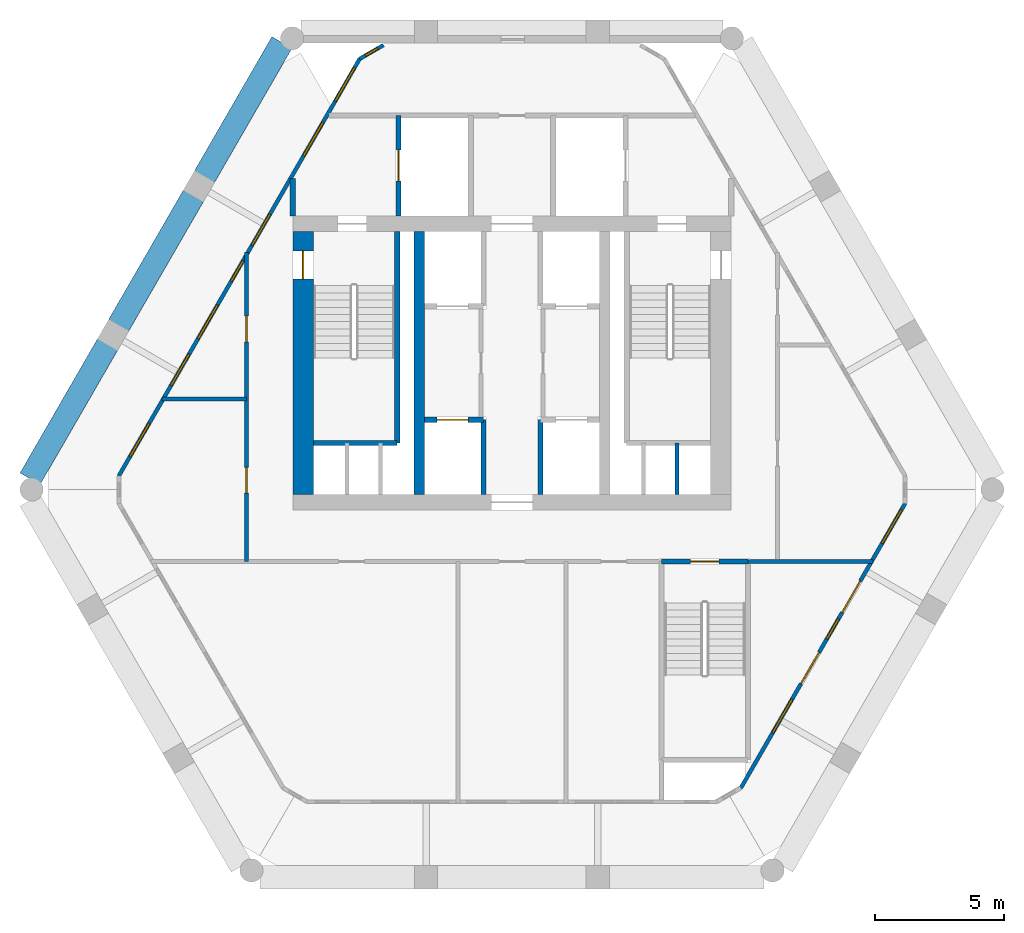
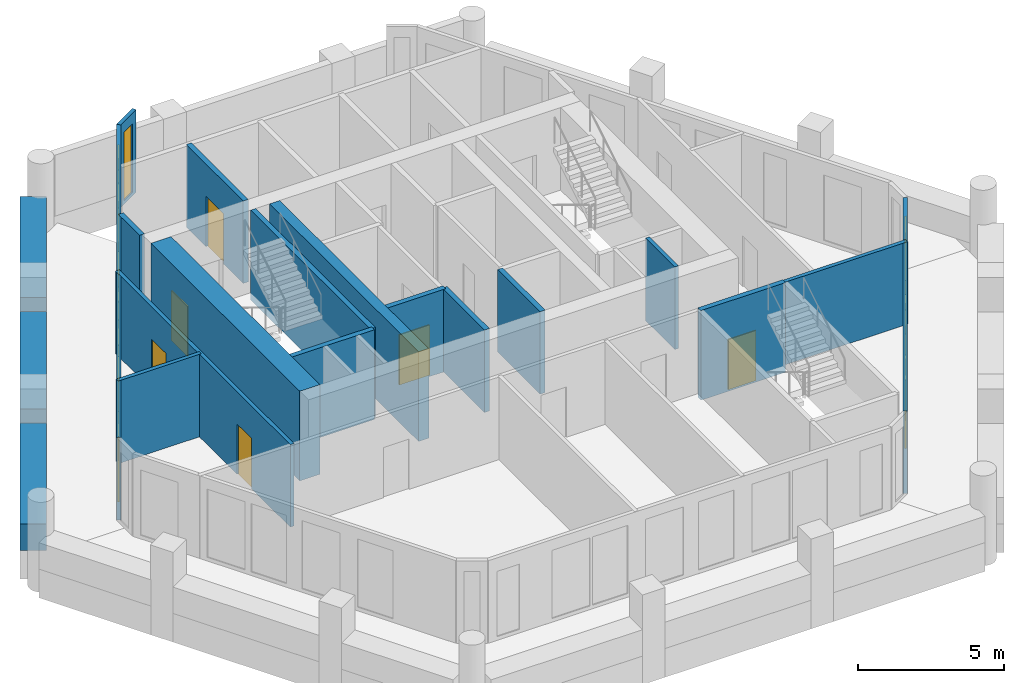
# One storey, part 3 of 6: 20 walls, 11 windows, 8 doors, 19 openings.
"""IFC4 building model written with IfcOpenShell, lengths in metres."""

from ifc_helpers import new_model, si_unit, direction, frame, frame_2d, origin, place, context, subcontext, project, spatial, rectangle, extrude, material, layer, layer_set, type_object, element, fill, save


model = new_model("IFC4")

# Units and contexts
model_context = context("Model", 3, precision=1e-05, world=origin(), true_north=direction((0.0, 1.0)))
body_context = subcontext(model_context, "Body", "Model", "MODEL_VIEW")
ifc_project = project(units=[si_unit("LENGTHUNIT", "METRE"), si_unit("AREAUNIT", "SQUARE_METRE"), si_unit("VOLUMEUNIT", "CUBIC_METRE"), si_unit("PLANEANGLEUNIT", "RADIAN"), si_unit("MASSUNIT", "GRAM", prefix="KILO")], contexts=[model_context])

# Site, building, storey
site_placement = place(None, origin())
site = spatial("IfcSite", under=ifc_project, at=site_placement, CompositionType="ELEMENT")
building_placement = place(site_placement, origin())
building = spatial("IfcBuilding", under=site, at=building_placement, Name="Ostrander Bayou Hotel Tower", CompositionType="ELEMENT")
storey_placement = place(building_placement, frame((0.0, 0.0, 263.75)))
storey = spatial("IfcBuildingStorey", under=building, at=storey_placement, Name="L65", CompositionType="ELEMENT", Elevation=263.75)

# Wall, opening, door
ifc_material_1 = material(Name="Concrete f'c 60 MPa", Category="concrete")
ifc_layer_1 = layer(ifc_material_1, 0.800048828125)
ifc_layer_set_1 = layer_set([ifc_layer_1], Name="CW11 core spine wall 800 mm f'c 60 MPa")
wall_type_1 = type_object("IfcWallType", Name="CW11 core spine wall 800 mm f'c 60 MPa", PredefinedType="SHEAR", material=ifc_layer_set_1)
wall_1_placement = place(storey_placement, frame((-8.10009765625, -1.10009765625, -0.300048828125), z_axis=(0.0, 0.0, 1.0), x_axis=(0.0, 1.0, 0.0)))
wall_1 = element("IfcWall", 1, at=wall_1_placement, inside=storey, type_object=wall_type_1, Name="CW11 L65 W", PredefinedType="SHEAR", context=body_context, shape_type="SweptSolid", body=[
    extrude(rectangle(XDim=10.2001953125, YDim=0.800048828125, at=frame_2d((5.10009765625, 0.0))), origin(), (0.0, 0.0, 1.0), 3.75),
])
opening_1_placement = place(wall_1_placement, frame((8.35009765625, 0.0, 0.0)))
opening_1 = element("IfcOpeningElement", 2, at=opening_1_placement, cuts=wall_1, Name="Opening T63-008", PredefinedType="OPENING", context=body_context, shape_type="SweptSolid", body=[
    extrude(rectangle(XDim=1.10009765625, YDim=2.10009765625, at=frame_2d((0.550048828125, 1.050048828125))), frame((0.0, 0.39990234375, 0.0), z_axis=(0.0, -1.0, 0.0), x_axis=(1.0, 0.0, 0.0)), (0.0, 0.0, 1.0), 0.800048828125),
])
ifc_material_2 = material(Name="Timber door leaf", Category="wood")
door_type_1 = type_object("IfcDoorType", Name="D5 stair door 1100 x 2100 mm, 90 minute", OperationType="SINGLE_SWING_LEFT", PredefinedType="DOOR", material=ifc_material_2)
door_1_placement = place(opening_1_placement, origin())
door_1 = element("IfcDoor", 3, at=door_1_placement, inside=storey, type_object=door_type_1, Name="dr:L65:008", OperationType="SINGLE_SWING_RIGHT", OverallHeight=2.10009765625, OverallWidth=1.10009765625, PredefinedType="DOOR", context=body_context, shape_type="SweptSolid", body=[
    extrude(rectangle(XDim=1.10009765625, YDim=2.10009765625, at=frame_2d((0.550048828125, 1.050048828125))), frame((0.0, 0.02490234375, 0.0), z_axis=(0.0, -1.0, 0.0), x_axis=(1.0, 0.0, 0.0)), (0.0, 0.0, 1.0), 0.050048828125),
])
fill(opening_1, door_1)

# Wall
ifc_material_3 = material(Name="Concrete f'c 60 MPa", Category="concrete")
ifc_layer_2 = layer(ifc_material_3, 0.39990234375)
ifc_layer_set_2 = layer_set([ifc_layer_2], Name="CW12 core bank wall 400 mm f'c 60 MPa")
wall_type_2 = type_object("IfcWallType", Name="CW12 core bank wall 400 mm f'c 60 MPa", PredefinedType="SHEAR", material=ifc_layer_set_2)
wall_2_placement = place(storey_placement, frame((-3.60009765625, -1.10009765625, -0.300048828125), z_axis=(0.0, 0.0, 1.0), x_axis=(0.0, 1.0, 0.0)))
element("IfcWall", 4, at=wall_2_placement, inside=storey, type_object=wall_type_2, Name="CW12 L65 CW", PredefinedType="SHEAR", context=body_context, shape_type="SweptSolid", body=[
    extrude(rectangle(XDim=10.2001953125, YDim=0.39990234375, at=frame_2d((5.10009765625, 0.0))), origin(), (0.0, 0.0, 1.0), 3.75),
])

# Wall, openings, windows
ifc_material_4 = material(Name="Aluminium framed insulated wall", Category="aluminium")
ifc_layer_3 = layer(ifc_material_4, 0.14990234375)
ifc_layer_set_3 = layer_set([ifc_layer_3], Name="GW1 glass-line wall 150 mm")
wall_type_3 = type_object("IfcWallType", Name="GW1 glass-line wall 150 mm", PredefinedType="SOLIDWALL", material=ifc_layer_set_3)
wall_3_placement = place(storey_placement, frame((-5.909423828125, 15.79248046875, 0.0), z_axis=(0.0, 0.0, 1.0), x_axis=(-0.500006153997, -0.866021850744, 0.0)))
wall_3 = element("IfcWall", 5, at=wall_3_placement, inside=storey, type_object=wall_type_3, Name="GW1 L65 NW 1", PredefinedType="SOLIDWALL", context=body_context, shape_type="SweptSolid", body=[
    extrude(rectangle(XDim=18.672607421875, YDim=0.14990234375, at=frame_2d((9.33642578125, 0.0))), origin(), (0.0, 0.0, 1.0), 3.449951171875),
])
opening_2_placement = place(wall_3_placement, frame((2.83837890625, 0.0, 0.14990234375)))
opening_2 = element("IfcOpeningElement", 6, at=opening_2_placement, cuts=wall_3, Name="Opening W4", PredefinedType="OPENING", context=body_context, shape_type="SweptSolid", body=[
    extrude(rectangle(XDim=1.5, YDim=2.85009765625, at=frame_2d((0.75, 1.425048828125))), frame((0.0, 0.074951171875, 0.0), z_axis=(0.0, -1.0, 0.0), x_axis=(1.0, 0.0, 0.0)), (0.0, 0.0, 1.0), 0.14990234375),
])
opening_3_placement = place(wall_3_placement, frame((9.052978515625, 0.0, 0.14990234375)))
opening_3 = element("IfcOpeningElement", 7, at=opening_3_placement, cuts=wall_3, Name="Opening W18", PredefinedType="OPENING", context=body_context, shape_type="SweptSolid", body=[
    extrude(rectangle(XDim=0.89990234375, YDim=2.85009765625, at=frame_2d((0.449951171875, 1.425048828125))), frame((0.0, 0.074951171875, 0.0), z_axis=(0.0, -1.0, 0.0), x_axis=(1.0, 0.0, 0.0)), (0.0, 0.0, 1.0), 0.14990234375),
])
opening_4_placement = place(wall_3_placement, frame((6.952880859375, 0.0, 0.14990234375)))
opening_4 = element("IfcOpeningElement", 8, at=opening_4_placement, cuts=wall_3, Name="Opening W14", PredefinedType="OPENING", context=body_context, shape_type="SweptSolid", body=[
    extrude(rectangle(XDim=1.39990234375, YDim=2.85009765625, at=frame_2d((0.699951171875, 1.425048828125))), frame((0.0, 0.074951171875, 0.0), z_axis=(0.0, -1.0, 0.0), x_axis=(1.0, 0.0, 0.0)), (0.0, 0.0, 1.0), 0.14990234375),
])
opening_5_placement = place(wall_3_placement, frame((11.02197265625, 0.0, 0.14990234375)))
opening_5 = element("IfcOpeningElement", 9, at=opening_5_placement, cuts=wall_3, Name="Opening W4", PredefinedType="OPENING", context=body_context, shape_type="SweptSolid", body=[
    extrude(rectangle(XDim=1.5, YDim=2.85009765625, at=frame_2d((0.75, 1.425048828125))), frame((0.0, 0.074951171875, 0.0), z_axis=(0.0, -1.0, 0.0), x_axis=(1.0, 0.0, 0.0)), (0.0, 0.0, 1.0), 0.14990234375),
])
opening_6_placement = place(wall_3_placement, frame((13.221923828125, 0.0, 0.14990234375)))
opening_6 = element("IfcOpeningElement", 10, at=opening_6_placement, cuts=wall_3, Name="Opening W14", PredefinedType="OPENING", context=body_context, shape_type="SweptSolid", body=[
    extrude(rectangle(XDim=1.39990234375, YDim=2.85009765625, at=frame_2d((0.699951171875, 1.425048828125))), frame((0.0, 0.074951171875, 0.0), z_axis=(0.0, -1.0, 0.0), x_axis=(1.0, 0.0, 0.0)), (0.0, 0.0, 1.0), 0.14990234375),
])
opening_7_placement = place(wall_3_placement, frame((0.394287109375, 0.0, 0.14990234375)))
opening_7 = element("IfcOpeningElement", 11, at=opening_7_placement, cuts=wall_3, Name="Opening W4", PredefinedType="OPENING", context=body_context, shape_type="SweptSolid", body=[
    extrude(rectangle(XDim=1.5, YDim=2.72998046875, at=frame_2d((0.75, 1.364990234375))), frame((0.0, 0.074951171875, 0.0), z_axis=(0.0, -1.0, 0.0), x_axis=(1.0, 0.0, 0.0)), (0.0, 0.0, 1.0), 0.14990234375),
])
opening_8_placement = place(wall_3_placement, frame((16.31591796875, 0.0, 0.14990234375)))
opening_8 = element("IfcOpeningElement", 12, at=opening_8_placement, cuts=wall_3, Name="Opening W4", PredefinedType="OPENING", context=body_context, shape_type="SweptSolid", body=[
    extrude(rectangle(XDim=1.5, YDim=2.72998046875, at=frame_2d((0.75, 1.364990234375))), frame((0.0, 0.074951171875, 0.0), z_axis=(0.0, -1.0, 0.0), x_axis=(1.0, 0.0, 0.0)), (0.0, 0.0, 1.0), 0.14990234375),
])
ifc_material_5 = material(Name="Aluminium and clear glass", Category="aluminium")
window_type_1 = type_object("IfcWindowType", Name="W14 fixed window 1400 mm, bath bay, zone 4", PartitioningType="SINGLE_PANEL", PredefinedType="WINDOW", material=ifc_material_5)
window_1_placement = place(opening_4_placement, origin())
window_1 = element("IfcWindow", 13, at=window_1_placement, inside=storey, type_object=window_type_1, Name="W14 L65 NW 2", OverallHeight=2.85009765625, OverallWidth=1.39990234375, PartitioningType="SINGLE_PANEL", PredefinedType="WINDOW", context=body_context, shape_type="SweptSolid", body=[
    extrude(rectangle(XDim=1.39990234375, YDim=2.85009765625, at=frame_2d((0.699951171875, 1.425048828125))), frame((0.0, 0.030029296875, 0.0), z_axis=(0.0, -1.0, 0.0), x_axis=(1.0, 0.0, 0.0)), (0.0, 0.0, 1.0), 0.06005859375),
])
fill(opening_4, window_1)
window_2_placement = place(opening_6_placement, origin())
window_2 = element("IfcWindow", 14, at=window_2_placement, inside=storey, type_object=window_type_1, Name="W14 L65 NW 3", OverallHeight=2.85009765625, OverallWidth=1.39990234375, PartitioningType="SINGLE_PANEL", PredefinedType="WINDOW", context=body_context, shape_type="SweptSolid", body=[
    extrude(rectangle(XDim=1.39990234375, YDim=2.85009765625, at=frame_2d((0.699951171875, 1.425048828125))), frame((0.0, 0.030029296875, 0.0), z_axis=(0.0, -1.0, 0.0), x_axis=(1.0, 0.0, 0.0)), (0.0, 0.0, 1.0), 0.06005859375),
])
fill(opening_6, window_2)
ifc_material_6 = material(Name="Aluminium and clear glass", Category="aluminium")
window_type_2 = type_object("IfcWindowType", Name="W18 window 900 mm, zone 4", PartitioningType="SINGLE_PANEL", PredefinedType="WINDOW", material=ifc_material_6)
window_3_placement = place(opening_3_placement, origin())
window_3 = element("IfcWindow", 15, at=window_3_placement, inside=storey, type_object=window_type_2, Name="W18 L65 NW 2", OverallHeight=2.85009765625, OverallWidth=0.89990234375, PartitioningType="SINGLE_PANEL", PredefinedType="WINDOW", context=body_context, shape_type="SweptSolid", body=[
    extrude(rectangle(XDim=0.89990234375, YDim=2.85009765625, at=frame_2d((0.449951171875, 1.425048828125))), frame((0.0, 0.030029296875, 0.0), z_axis=(0.0, -1.0, 0.0), x_axis=(1.0, 0.0, 0.0)), (0.0, 0.0, 1.0), 0.06005859375),
])
fill(opening_3, window_3)
ifc_material_7 = material(Name="Aluminium and clear glass", Category="aluminium")
window_type_3 = type_object("IfcWindowType", Name="W4 fixed window 1500 mm, zone 4", PartitioningType="SINGLE_PANEL", PredefinedType="WINDOW", material=ifc_material_7)
window_4_placement = place(opening_2_placement, origin())
window_4 = element("IfcWindow", 16, at=window_4_placement, inside=storey, type_object=window_type_3, Name="W4 L65 NW 1", OverallHeight=2.85009765625, OverallWidth=1.5, PartitioningType="SINGLE_PANEL", PredefinedType="WINDOW", context=body_context, shape_type="SweptSolid", body=[
    extrude(rectangle(XDim=1.5, YDim=2.85009765625, at=frame_2d((0.75, 1.425048828125))), frame((0.0, 0.030029296875, 0.0), z_axis=(0.0, -1.0, 0.0), x_axis=(1.0, 0.0, 0.0)), (0.0, 0.0, 1.0), 0.06005859375),
])
fill(opening_2, window_4)
window_5_placement = place(opening_5_placement, origin())
window_5 = element("IfcWindow", 17, at=window_5_placement, inside=storey, type_object=window_type_3, Name="W4 L65 NW 3", OverallHeight=2.85009765625, OverallWidth=1.5, PartitioningType="SINGLE_PANEL", PredefinedType="WINDOW", context=body_context, shape_type="SweptSolid", body=[
    extrude(rectangle(XDim=1.5, YDim=2.85009765625, at=frame_2d((0.75, 1.425048828125))), frame((0.0, 0.030029296875, 0.0), z_axis=(0.0, -1.0, 0.0), x_axis=(1.0, 0.0, 0.0)), (0.0, 0.0, 1.0), 0.06005859375),
])
fill(opening_5, window_5)
window_6_placement = place(opening_7_placement, origin())
window_6 = element("IfcWindow", 18, at=window_6_placement, inside=storey, type_object=window_type_3, Name="W4 L65 NW E11", OverallHeight=2.72998046875, OverallWidth=1.5, PartitioningType="SINGLE_PANEL", PredefinedType="WINDOW", context=body_context, shape_type="SweptSolid", body=[
    extrude(rectangle(XDim=1.5, YDim=2.72998046875, at=frame_2d((0.75, 1.364990234375))), frame((0.0, 0.030029296875, 0.0), z_axis=(0.0, -1.0, 0.0), x_axis=(1.0, 0.0, 0.0)), (0.0, 0.0, 1.0), 0.06005859375),
])
fill(opening_7, window_6)
window_7_placement = place(opening_8_placement, origin())
window_7 = element("IfcWindow", 19, at=window_7_placement, inside=storey, type_object=window_type_3, Name="W4 L65 NW E21", OverallHeight=2.72998046875, OverallWidth=1.5, PartitioningType="SINGLE_PANEL", PredefinedType="WINDOW", context=body_context, shape_type="SweptSolid", body=[
    extrude(rectangle(XDim=1.5, YDim=2.72998046875, at=frame_2d((0.75, 1.364990234375))), frame((0.0, 0.030029296875, 0.0), z_axis=(0.0, -1.0, 0.0), x_axis=(1.0, 0.0, 0.0)), (0.0, 0.0, 1.0), 0.06005859375),
])
fill(opening_8, window_7)

# Wall, openings, doors, windows
wall_4_placement = place(storey_placement, frame((8.873046875, -12.4814453125, 0.0), z_axis=(0.0, 0.0, 1.0), x_axis=(0.500005990458, 0.866021945164, 0.0)))
wall_4 = element("IfcWall", 20, at=wall_4_placement, inside=storey, type_object=wall_type_3, Name="GW1 L65 SE 1", PredefinedType="SOLIDWALL", context=body_context, shape_type="SweptSolid", body=[
    extrude(rectangle(XDim=12.745361328125, YDim=0.14990234375, at=frame_2d((6.37255859375, 0.0))), origin(), (0.0, 0.0, 1.0), 3.449951171875),
])
opening_9_placement = place(wall_4_placement, frame((2.472900390625, 0.0, 0.14990234375)))
opening_9 = element("IfcOpeningElement", 21, at=opening_9_placement, cuts=wall_4, Name="Opening W4", PredefinedType="OPENING", context=body_context, shape_type="SweptSolid", body=[
    extrude(rectangle(XDim=1.5, YDim=2.85009765625, at=frame_2d((0.75, 1.425048828125))), frame((0.0, 0.074951171875, 0.0), z_axis=(0.0, -1.0, 0.0), x_axis=(1.0, 0.0, 0.0)), (0.0, 0.0, 1.0), 0.14990234375),
])
opening_10_placement = place(wall_4_placement, frame((4.6728515625, 0.0, 0.0)))
opening_10 = element("IfcOpeningElement", 22, at=opening_10_placement, cuts=wall_4, Name="Opening T63-800", PredefinedType="OPENING", context=body_context, shape_type="SweptSolid", body=[
    extrude(rectangle(XDim=1.39990234375, YDim=2.39990234375, at=frame_2d((0.699951171875, 1.199951171875))), frame((0.0, 0.074951171875, 0.0), z_axis=(0.0, -1.0, 0.0), x_axis=(1.0, 0.0, 0.0)), (0.0, 0.0, 1.0), 0.14990234375),
])
opening_11_placement = place(wall_4_placement, frame((6.6728515625, 0.0, 0.14990234375)))
opening_11 = element("IfcOpeningElement", 23, at=opening_11_placement, cuts=wall_4, Name="Opening W18", PredefinedType="OPENING", context=body_context, shape_type="SweptSolid", body=[
    extrude(rectangle(XDim=0.89990234375, YDim=2.85009765625, at=frame_2d((0.449951171875, 1.425048828125))), frame((0.0, 0.074951171875, 0.0), z_axis=(0.0, -1.0, 0.0), x_axis=(1.0, 0.0, 0.0)), (0.0, 0.0, 1.0), 0.14990234375),
])
opening_12_placement = place(wall_4_placement, frame((7.865966796875, 0.0, 0.0)))
opening_12 = element("IfcOpeningElement", 24, at=opening_12_placement, cuts=wall_4, Name="Opening T63-801", PredefinedType="OPENING", context=body_context, shape_type="SweptSolid", body=[
    extrude(rectangle(XDim=1.39990234375, YDim=2.39990234375, at=frame_2d((0.699951171875, 1.199951171875))), frame((0.0, 0.074951171875, 0.0), z_axis=(0.0, -1.0, 0.0), x_axis=(1.0, 0.0, 0.0)), (0.0, 0.0, 1.0), 0.14990234375),
])
opening_13_placement = place(wall_4_placement, frame((10.959228515625, 0.0, 0.14990234375)))
opening_13 = element("IfcOpeningElement", 25, at=opening_13_placement, cuts=wall_4, Name="Opening W4", PredefinedType="OPENING", context=body_context, shape_type="SweptSolid", body=[
    extrude(rectangle(XDim=1.5, YDim=2.72998046875, at=frame_2d((0.75, 1.364990234375))), frame((0.0, 0.074951171875, 0.0), z_axis=(0.0, -1.0, 0.0), x_axis=(1.0, 0.0, 0.0)), (0.0, 0.0, 1.0), 0.14990234375),
])
ifc_material_8 = material(Name="Aluminium and clear glass", Category="aluminium")
door_type_2 = type_object("IfcDoorType", Name="SD4 sliding glass door 1400 mm, zone 4", OperationType="SLIDING_TO_LEFT", PredefinedType="DOOR", material=ifc_material_8)
door_2_placement = place(opening_10_placement, origin())
door_2 = element("IfcDoor", 26, at=door_2_placement, inside=storey, type_object=door_type_2, Name="SD4 L65 SE 1", OperationType="SLIDING_TO_LEFT", OverallHeight=2.39990234375, OverallWidth=1.39990234375, PredefinedType="DOOR", context=body_context, shape_type="SweptSolid", body=[
    extrude(rectangle(XDim=1.39990234375, YDim=2.39990234375, at=frame_2d((0.699951171875, 1.199951171875))), frame((0.0, 0.02490234375, 0.0), z_axis=(0.0, -1.0, 0.0), x_axis=(1.0, 0.0, 0.0)), (0.0, 0.0, 1.0), 0.050048828125),
])
fill(opening_10, door_2)
door_3_placement = place(opening_12_placement, origin())
door_3 = element("IfcDoor", 27, at=door_3_placement, inside=storey, type_object=door_type_2, Name="SD4 L65 SE 2", OperationType="SLIDING_TO_RIGHT", OverallHeight=2.39990234375, OverallWidth=1.39990234375, PredefinedType="DOOR", context=body_context, shape_type="SweptSolid", body=[
    extrude(rectangle(XDim=1.39990234375, YDim=2.39990234375, at=frame_2d((0.699951171875, 1.199951171875))), frame((0.0, 0.02490234375, 0.0), z_axis=(0.0, -1.0, 0.0), x_axis=(1.0, 0.0, 0.0)), (0.0, 0.0, 1.0), 0.050048828125),
])
fill(opening_12, door_3)
window_8_placement = place(opening_11_placement, origin())
window_8 = element("IfcWindow", 28, at=window_8_placement, inside=storey, type_object=window_type_2, Name="W18 L65 SE 2", OverallHeight=2.85009765625, OverallWidth=0.89990234375, PartitioningType="SINGLE_PANEL", PredefinedType="WINDOW", context=body_context, shape_type="SweptSolid", body=[
    extrude(rectangle(XDim=0.89990234375, YDim=2.85009765625, at=frame_2d((0.449951171875, 1.425048828125))), frame((0.0, 0.030029296875, 0.0), z_axis=(0.0, -1.0, 0.0), x_axis=(1.0, 0.0, 0.0)), (0.0, 0.0, 1.0), 0.06005859375),
])
fill(opening_11, window_8)
window_9_placement = place(opening_9_placement, origin())
window_9 = element("IfcWindow", 29, at=window_9_placement, inside=storey, type_object=window_type_3, Name="W4 L65 SE 1", OverallHeight=2.85009765625, OverallWidth=1.5, PartitioningType="SINGLE_PANEL", PredefinedType="WINDOW", context=body_context, shape_type="SweptSolid", body=[
    extrude(rectangle(XDim=1.5, YDim=2.85009765625, at=frame_2d((0.75, 1.425048828125))), frame((0.0, 0.030029296875, 0.0), z_axis=(0.0, -1.0, 0.0), x_axis=(1.0, 0.0, 0.0)), (0.0, 0.0, 1.0), 0.06005859375),
])
fill(opening_9, window_9)
window_10_placement = place(opening_13_placement, origin())
window_10 = element("IfcWindow", 30, at=window_10_placement, inside=storey, type_object=window_type_3, Name="W4 L65 SE E21", OverallHeight=2.72998046875, OverallWidth=1.5, PartitioningType="SINGLE_PANEL", PredefinedType="WINDOW", context=body_context, shape_type="SweptSolid", body=[
    extrude(rectangle(XDim=1.5, YDim=2.72998046875, at=frame_2d((0.75, 1.364990234375))), frame((0.0, 0.030029296875, 0.0), z_axis=(0.0, -1.0, 0.0), x_axis=(1.0, 0.0, 0.0)), (0.0, 0.0, 1.0), 0.06005859375),
])
fill(opening_13, window_10)

# Wall, opening, window
wall_5_placement = place(storey_placement, frame((-4.9873046875, 16.324951171875, 0.0), z_axis=(0.0, 0.0, 1.0), x_axis=(-0.865990848561, -0.500059846627, 0.0)))
wall_5 = element("IfcWall", 31, at=wall_5_placement, inside=storey, type_object=wall_type_3, Name="GW1 L65 corner 1", PredefinedType="SOLIDWALL", context=body_context, shape_type="SweptSolid", body=[
    extrude(rectangle(XDim=1.064697265625, YDim=0.14990234375, at=frame_2d((0.5322265625, 0.0))), origin(), (0.0, 0.0, 1.0), 3.449951171875),
])
opening_14_placement = place(wall_5_placement, frame((0.257568359375, 0.0, 0.14990234375)))
opening_14 = element("IfcOpeningElement", 32, at=opening_14_placement, cuts=wall_5, Name="Opening W19", PredefinedType="OPENING", context=body_context, shape_type="SweptSolid", body=[
    extrude(rectangle(XDim=0.550048828125, YDim=2.85009765625, at=frame_2d((0.27490234375, 1.425048828125))), frame((0.0, 0.074951171875, 0.0), z_axis=(0.0, -1.0, 0.0), x_axis=(1.0, 0.0, 0.0)), (0.0, 0.0, 1.0), 0.14990234375),
])
ifc_material_9 = material(Name="Aluminium and clear glass", Category="aluminium")
window_type_4 = type_object("IfcWindowType", Name="W19 corner window 550 mm", PartitioningType="SINGLE_PANEL", PredefinedType="WINDOW", material=ifc_material_9)
window_11_placement = place(opening_14_placement, origin())
window_11 = element("IfcWindow", 33, at=window_11_placement, inside=storey, type_object=window_type_4, Name="W19 L65 corner 1", OverallHeight=2.85009765625, OverallWidth=0.550048828125, PartitioningType="SINGLE_PANEL", PredefinedType="WINDOW", context=body_context, shape_type="SweptSolid", body=[
    extrude(rectangle(XDim=0.550048828125, YDim=2.85009765625, at=frame_2d((0.27490234375, 1.425048828125))), frame((0.0, 0.030029296875, 0.0), z_axis=(0.0, -1.0, 0.0), x_axis=(1.0, 0.0, 0.0)), (0.0, 0.0, 1.0), 0.06005859375),
])
fill(opening_14, window_11)

# Walls
ifc_material_10 = material(Name="Concrete f'c 40 MPa", Category="concrete")
ifc_layer_4 = layer(ifc_material_10, 0.89990234375)
ifc_layer_set_4 = layer_set([ifc_layer_4], Name="PA1 stone-faced parapet 900 mm")
wall_type_4 = type_object("IfcWallType", Name="PA1 stone-faced parapet 900 mm", PredefinedType="PARAPET", material=ifc_layer_set_4)
wall_6_placement = place(storey_placement, frame((-8.919921875, 16.427978515625, 0.0), z_axis=(0.0, 0.0, 1.0), x_axis=(-0.500026811154, -0.866009923804, 0.0)))
element("IfcWall", 34, at=wall_6_placement, inside=storey, type_object=wall_type_4, Name="PA1 L65 NW-1", PredefinedType="PARAPET", context=body_context, shape_type="SweptSolid", body=[
    extrude(rectangle(XDim=6.017822265625, YDim=0.89990234375, at=frame_2d((3.0087890625, 0.0))), origin(), (0.0, 0.0, 1.0), 1.10009765625),
])
wall_7_placement = place(storey_placement, frame((-12.348876953125, 10.489013671875, 0.0), z_axis=(0.0, 0.0, 1.0), x_axis=(-0.500015433515, -0.866016493057, 0.0)))
element("IfcWall", 35, at=wall_7_placement, inside=storey, type_object=wall_type_4, Name="PA1 L65 NW-2", PredefinedType="PARAPET", context=body_context, shape_type="SweptSolid", body=[
    extrude(rectangle(XDim=5.818603515625, YDim=0.89990234375, at=frame_2d((2.9091796875, 0.0))), origin(), (0.0, 0.0, 1.0), 1.10009765625),
])
wall_8_placement = place(storey_placement, frame((-15.67822265625, 4.722412109375, 0.0), z_axis=(0.0, 0.0, 1.0), x_axis=(-0.499996383721, -0.866027491634, 0.0)))
element("IfcWall", 36, at=wall_8_placement, inside=storey, type_object=wall_type_4, Name="PA1 L65 NW-3", PredefinedType="PARAPET", context=body_context, shape_type="SweptSolid", body=[
    extrude(rectangle(XDim=6.017578125, YDim=0.89990234375, at=frame_2d((3.0087890625, 0.0))), origin(), (0.0, 0.0, 1.0), 1.10009765625),
])
ifc_material_11 = material(Name="Masonry block", Category="masonry")
ifc_layer_5 = layer(ifc_material_11, 0.199951171875)
ifc_layer_set_5 = layer_set([ifc_layer_5], Name="PT5 stair enclosure wall 200 mm masonry, 2 hour")
wall_type_5 = type_object("IfcWallType", Name="PT5 stair enclosure wall 200 mm masonry, 2 hour", PredefinedType="PARTITIONING", material=ifc_layer_set_5)
wall_9_placement = place(storey_placement, frame((-8.5, 9.699951171875, 0.0), z_axis=(0.0, 0.0, 1.0), x_axis=(0.0, 1.0, 0.0)))
element("IfcWall", 37, at=wall_9_placement, inside=storey, type_object=wall_type_5, Name="cs:L65:023", PredefinedType="PARTITIONING", context=body_context, shape_type="SweptSolid", body=[
    extrude(rectangle(XDim=1.45556640625, YDim=0.199951171875, at=frame_2d((0.727783203125, 0.0))), origin(), (0.0, 0.0, 1.0), 3.449951171875),
])

# Wall, opening, door
wall_10_placement = place(storey_placement, frame((-4.39990234375, 9.699951171875, 0.0), z_axis=(0.0, 0.0, 1.0), x_axis=(0.0, 1.0, 0.0)))
wall_10 = element("IfcWall", 38, at=wall_10_placement, inside=storey, type_object=wall_type_5, Name="cs:L65:025", PredefinedType="PARTITIONING", context=body_context, shape_type="SweptSolid", body=[
    extrude(rectangle(XDim=3.900146484375, YDim=0.199951171875, at=frame_2d((1.9501953125, 0.0))), origin(), (0.0, 0.0, 1.0), 3.449951171875),
])
opening_15_placement = place(wall_10_placement, frame((1.35009765625, 0.0, 0.0)))
opening_15 = element("IfcOpeningElement", 39, at=opening_15_placement, cuts=wall_10, Name="Opening T63-012", PredefinedType="OPENING", context=body_context, shape_type="SweptSolid", body=[
    extrude(rectangle(XDim=1.199951171875, YDim=2.10009765625, at=frame_2d((0.60009765625, 1.050048828125))), frame((0.0, 0.10009765625, 0.0), z_axis=(0.0, -1.0, 0.0), x_axis=(1.0, 0.0, 0.0)), (0.0, 0.0, 1.0), 0.199951171875),
])
ifc_material_12 = material(Name="Stainless steel sliding door", Category="steel")
door_type_3 = type_object("IfcDoorType", Name="LD1 lift landing door 1200 x 2100 mm", OperationType="SINGLE_SWING_LEFT", PredefinedType="DOOR", material=ifc_material_12)
door_4_placement = place(opening_15_placement, origin())
door_4 = element("IfcDoor", 40, at=door_4_placement, inside=storey, type_object=door_type_3, Name="dr:L65:012", OperationType="SLIDING_TO_LEFT", OverallHeight=2.10009765625, OverallWidth=1.199951171875, PredefinedType="DOOR", context=body_context, shape_type="SweptSolid", body=[
    extrude(rectangle(XDim=1.199951171875, YDim=2.10009765625, at=frame_2d((0.60009765625, 1.050048828125))), frame((0.0, 0.02490234375, 0.0), z_axis=(0.0, -1.0, 0.0), x_axis=(1.0, 0.0, 0.0)), (0.0, 0.0, 1.0), 0.050048828125),
])
fill(opening_15, door_4)

ifc_material_13 = material(Name="Masonry block", Category="masonry")
ifc_layer_6 = layer(ifc_material_13, 0.199951171875)
ifc_layer_set_6 = layer_set([ifc_layer_6], Name="PT6 lift shaft wall 200 mm masonry, 2 hour")
wall_type_6 = type_object("IfcWallType", Name="PT6 lift shaft wall 200 mm masonry, 2 hour", PredefinedType="PARTITIONING", material=ifc_layer_set_6)
wall_11_placement = place(storey_placement, frame((-3.39990234375, 1.800048828125, 0.0), z_axis=(0.0, 0.0, 1.0), x_axis=(1.0, 0.0, 0.0)))
wall_11 = element("IfcWall", 41, at=wall_11_placement, inside=storey, type_object=wall_type_6, Name="cs:L65:001", PredefinedType="PARTITIONING", context=body_context, shape_type="SweptSolid", body=[
    extrude(rectangle(XDim=2.2998046875, YDim=0.199951171875, at=frame_2d((1.14990234375, 0.0))), origin(), (0.0, 0.0, 1.0), 3.449951171875),
])
opening_16_placement = place(wall_11_placement, frame((0.5, 0.0, 0.0)))
opening_16 = element("IfcOpeningElement", 42, at=opening_16_placement, cuts=wall_11, Name="Opening T63-001", PredefinedType="OPENING", context=body_context, shape_type="SweptSolid", body=[
    extrude(rectangle(XDim=1.199951171875, YDim=2.10009765625, at=frame_2d((0.60009765625, 1.050048828125))), frame((0.0, 0.10009765625, 0.0), z_axis=(0.0, -1.0, 0.0), x_axis=(1.0, 0.0, 0.0)), (0.0, 0.0, 1.0), 0.199951171875),
])
door_5_placement = place(opening_16_placement, origin())
door_5 = element("IfcDoor", 43, at=door_5_placement, inside=storey, type_object=door_type_3, Name="dr:L65:001", OperationType="SLIDING_TO_LEFT", OverallHeight=2.10009765625, OverallWidth=1.199951171875, PredefinedType="DOOR", context=body_context, shape_type="SweptSolid", body=[
    extrude(rectangle(XDim=1.199951171875, YDim=2.10009765625, at=frame_2d((0.60009765625, 1.050048828125))), frame((0.0, 0.02490234375, 0.0), z_axis=(0.0, -1.0, 0.0), x_axis=(1.0, 0.0, 0.0)), (0.0, 0.0, 1.0), 0.050048828125),
])
fill(opening_16, door_5)

# Walls
for number, where, z_axis, x_axis, name in (
    (44, (-1.10009765625, -1.10009765625, 0.0), (0.0, 0.0, 1.0), (0.0, 1.0, 0.0), "cs:L65:005"),
    (45, (1.10009765625, -1.10009765625, 0.0), (0.0, 0.0, 1.0), (0.0, 1.0, 0.0), "cs:L65:006"),
):
    element("IfcWall", number, at=place(storey_placement, frame(where, z_axis=z_axis, x_axis=x_axis)), inside=storey, type_object=wall_type_6, Name=name, PredefinedType="PARTITIONING", context=body_context, shape_type="SweptSolid", body=[
        extrude(rectangle(XDim=2.900146484375, YDim=0.199951171875, at=frame_2d((1.4501953125, 0.0))), origin(), (0.0, 0.0, 1.0), 3.449951171875),
    ])
ifc_material_14 = material(Name="Gypsum board partition", Category="finish")
ifc_layer_7 = layer(ifc_material_14, 0.14990234375)
ifc_layer_set_7 = layer_set([ifc_layer_7], Name="PT7 riser wall 150 mm, 2 hour")
wall_type_7 = type_object("IfcWallType", Name="PT7 riser wall 150 mm, 2 hour", PredefinedType="PARTITIONING", material=ifc_layer_set_7)
wall_12_placement = place(storey_placement, frame((6.39990234375, -1.10009765625, 0.0), z_axis=(0.0, 0.0, 1.0), x_axis=(0.0, 1.0, 0.0)))
element("IfcWall", 46, at=wall_12_placement, inside=storey, type_object=wall_type_7, Name="cs:L65:016", PredefinedType="PARTITIONING", context=body_context, shape_type="SweptSolid", body=[
    extrude(rectangle(XDim=2.0, YDim=0.14990234375, at=frame_2d((1.0, 0.0))), origin(), (0.0, 0.0, 1.0), 3.449951171875),
])
ifc_material_15 = material(Name="Gypsum board partition", Category="finish")
ifc_layer_8 = layer(ifc_material_15, 0.14990234375)
ifc_layer_set_8 = layer_set([ifc_layer_8], Name="PT8 service band wall 150 mm, 1 hour")
wall_type_8 = type_object("IfcWallType", Name="PT8 service band wall 150 mm, 1 hour", PredefinedType="PARTITIONING", material=ifc_layer_set_8)
wall_13_placement = place(storey_placement, frame((9.159912109375, -3.699951171875, 0.0), z_axis=(0.0, 0.0, 1.0), x_axis=(1.0, 0.0, 0.0)))
element("IfcWall", 47, at=wall_13_placement, inside=storey, type_object=wall_type_8, Name="gw:L65:002", PredefinedType="PARTITIONING", context=body_context, shape_type="SweptSolid", body=[
    extrude(rectangle(XDim=4.835205078125, YDim=0.14990234375, at=frame_2d((2.41748046875, 0.0))), origin(), (0.0, 0.0, 1.0), 3.449951171875),
])
wall_14_placement = place(storey_placement, frame((-13.577880859375, 2.60009765625, 0.0), z_axis=(0.0, 0.0, 1.0), x_axis=(1.0, 0.0, 0.0)))
element("IfcWall", 48, at=wall_14_placement, inside=storey, type_object=wall_type_8, Name="gw:L65:003", PredefinedType="PARTITIONING", context=body_context, shape_type="SweptSolid", body=[
    extrude(rectangle(XDim=3.27783203125, YDim=0.14990234375, at=frame_2d((1.638916015625, 0.0))), origin(), (0.0, 0.0, 1.0), 3.449951171875),
])

# Wall, openings, doors
wall_15_placement = place(storey_placement, frame((-10.300048828125, -3.699951171875, 0.0), z_axis=(0.0, 0.0, 1.0), x_axis=(0.0, 1.0, 0.0)))
wall_15 = element("IfcWall", 49, at=wall_15_placement, inside=storey, type_object=wall_type_8, Name="gw:L65:009", PredefinedType="PARTITIONING", context=body_context, shape_type="SweptSolid", body=[
    extrude(rectangle(XDim=11.97802734375, YDim=0.14990234375, at=frame_2d((5.989013671875, 0.0))), origin(), (0.0, 0.0, 1.0), 3.449951171875),
])
opening_17_placement = place(wall_15_placement, frame((2.64990234375, 0.0, 0.0)))
opening_17 = element("IfcOpeningElement", 50, at=opening_17_placement, cuts=wall_15, Name="Opening T63-403", PredefinedType="OPENING", context=body_context, shape_type="SweptSolid", body=[
    extrude(rectangle(XDim=1.0, YDim=2.10009765625, at=frame_2d((0.5, 1.050048828125))), frame((0.0, 0.074951171875, 0.0), z_axis=(0.0, -1.0, 0.0), x_axis=(1.0, 0.0, 0.0)), (0.0, 0.0, 1.0), 0.14990234375),
])
opening_18_placement = place(wall_15_placement, frame((8.52001953125, 0.0, 0.0)))
opening_18 = element("IfcOpeningElement", 51, at=opening_18_placement, cuts=wall_15, Name="Opening T63-404", PredefinedType="OPENING", context=body_context, shape_type="SweptSolid", body=[
    extrude(rectangle(XDim=1.0, YDim=2.10009765625, at=frame_2d((0.5, 1.050048828125))), frame((0.0, 0.074951171875, 0.0), z_axis=(0.0, -1.0, 0.0), x_axis=(1.0, 0.0, 0.0)), (0.0, 0.0, 1.0), 0.14990234375),
])
ifc_material_16 = material(Name="Timber door leaf", Category="wood")
door_type_4 = type_object("IfcDoorType", Name="D15 room door 1000 x 2100 mm", OperationType="SINGLE_SWING_LEFT", PredefinedType="DOOR", material=ifc_material_16)
door_6_placement = place(opening_17_placement, origin())
door_6 = element("IfcDoor", 52, at=door_6_placement, inside=storey, type_object=door_type_4, Name="dr:L65:403", OperationType="SINGLE_SWING_RIGHT", OverallHeight=2.10009765625, OverallWidth=1.0, PredefinedType="DOOR", context=body_context, shape_type="SweptSolid", body=[
    extrude(rectangle(XDim=1.0, YDim=2.10009765625, at=frame_2d((0.5, 1.050048828125))), frame((0.0, 0.02490234375, 0.0), z_axis=(0.0, -1.0, 0.0), x_axis=(1.0, 0.0, 0.0)), (0.0, 0.0, 1.0), 0.050048828125),
])
fill(opening_17, door_6)
ifc_material_17 = material(Name="Timber door leaf", Category="wood")
door_type_5 = type_object("IfcDoorType", Name="D9 service door 1000 x 2100 mm, 30 minute", OperationType="SINGLE_SWING_LEFT", PredefinedType="DOOR", material=ifc_material_17)
door_7_placement = place(opening_18_placement, origin())
door_7 = element("IfcDoor", 53, at=door_7_placement, inside=storey, type_object=door_type_5, Name="dr:L65:404", OperationType="SINGLE_SWING_LEFT", OverallHeight=2.10009765625, OverallWidth=1.0, PredefinedType="DOOR", context=body_context, shape_type="SweptSolid", body=[
    extrude(rectangle(XDim=1.0, YDim=2.10009765625, at=frame_2d((0.5, 1.050048828125))), frame((0.0, 0.02490234375, 0.0), z_axis=(0.0, -1.0, 0.0), x_axis=(1.0, 0.0, 0.0)), (0.0, 0.0, 1.0), 0.050048828125),
])
fill(opening_18, door_7)

# Walls
ifc_material_18 = material(Name="Concrete f'c 45 MPa", Category="concrete")
ifc_layer_9 = layer(ifc_material_18, 0.199951171875)
ifc_layer_set_9 = layer_set([ifc_layer_9], Name="SW5 stair enclosure wall 200 mm f'c 45 MPa")
wall_type_9 = type_object("IfcWallType", Name="SW5 stair enclosure wall 200 mm f'c 45 MPa", PredefinedType="SOLIDWALL", material=ifc_layer_set_9)
wall_16_placement = place(storey_placement, frame((-4.449951171875, 0.89990234375, -0.300048828125), z_axis=(0.0, 0.0, 1.0), x_axis=(0.0, 1.0, 0.0)))
element("IfcWall", 54, at=wall_16_placement, inside=storey, type_object=wall_type_9, Name="cs:L65:009", PredefinedType="SOLIDWALL", context=body_context, shape_type="SweptSolid", body=[
    extrude(rectangle(XDim=8.2001953125, YDim=0.199951171875, at=frame_2d((4.10009765625, 0.0))), origin(), (0.0, 0.0, 1.0), 3.75),
])
wall_17_placement = place(storey_placement, frame((-7.699951171875, 0.89990234375, -0.300048828125), z_axis=(0.0, 0.0, 1.0), x_axis=(1.0, 0.0, 0.0)))
element("IfcWall", 55, at=wall_17_placement, inside=storey, type_object=wall_type_9, Name="cs:L65:010", PredefinedType="SOLIDWALL", context=body_context, shape_type="SweptSolid", body=[
    extrude(rectangle(XDim=3.25, YDim=0.199951171875, at=frame_2d((1.625, 0.0))), origin(), (0.0, 0.0, 1.0), 3.75),
])

# Wall, opening, door
wall_18_placement = place(storey_placement, frame((5.800048828125, -3.699951171875, -0.300048828125), z_axis=(0.0, 0.0, 1.0), x_axis=(1.0, 0.0, 0.0)))
wall_18 = element("IfcWall", 56, at=wall_18_placement, inside=storey, type_object=wall_type_9, Name="cs:L65:017", PredefinedType="SOLIDWALL", context=body_context, shape_type="SweptSolid", body=[
    extrude(rectangle(XDim=3.349853515625, YDim=0.199951171875, at=frame_2d((1.6748046875, 0.0))), origin(), (0.0, 0.0, 1.0), 3.75),
])
opening_19_placement = place(wall_18_placement, frame((1.125, 0.0, 0.0)))
opening_19 = element("IfcOpeningElement", 57, at=opening_19_placement, cuts=wall_18, Name="Opening T63-011", PredefinedType="OPENING", context=body_context, shape_type="SweptSolid", body=[
    extrude(rectangle(XDim=1.10009765625, YDim=2.10009765625, at=frame_2d((0.550048828125, 1.050048828125))), frame((0.0, 0.10009765625, 0.0), z_axis=(0.0, -1.0, 0.0), x_axis=(1.0, 0.0, 0.0)), (0.0, 0.0, 1.0), 0.199951171875),
])
door_8_placement = place(opening_19_placement, origin())
door_8 = element("IfcDoor", 58, at=door_8_placement, inside=storey, type_object=door_type_1, Name="dr:L65:011", OperationType="SINGLE_SWING_LEFT", OverallHeight=2.10009765625, OverallWidth=1.10009765625, PredefinedType="DOOR", context=body_context, shape_type="SweptSolid", body=[
    extrude(rectangle(XDim=1.10009765625, YDim=2.10009765625, at=frame_2d((0.550048828125, 1.050048828125))), frame((0.0, 0.02490234375, 0.0), z_axis=(0.0, -1.0, 0.0), x_axis=(1.0, 0.0, 0.0)), (0.0, 0.0, 1.0), 0.050048828125),
])
fill(opening_19, door_8)

save(model, "model.ifc")
